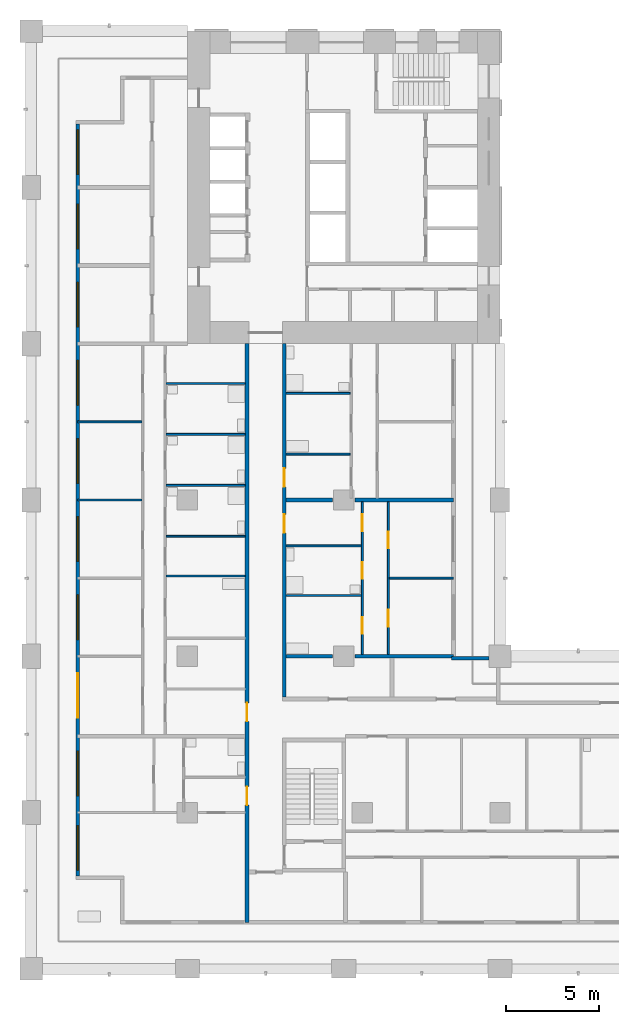
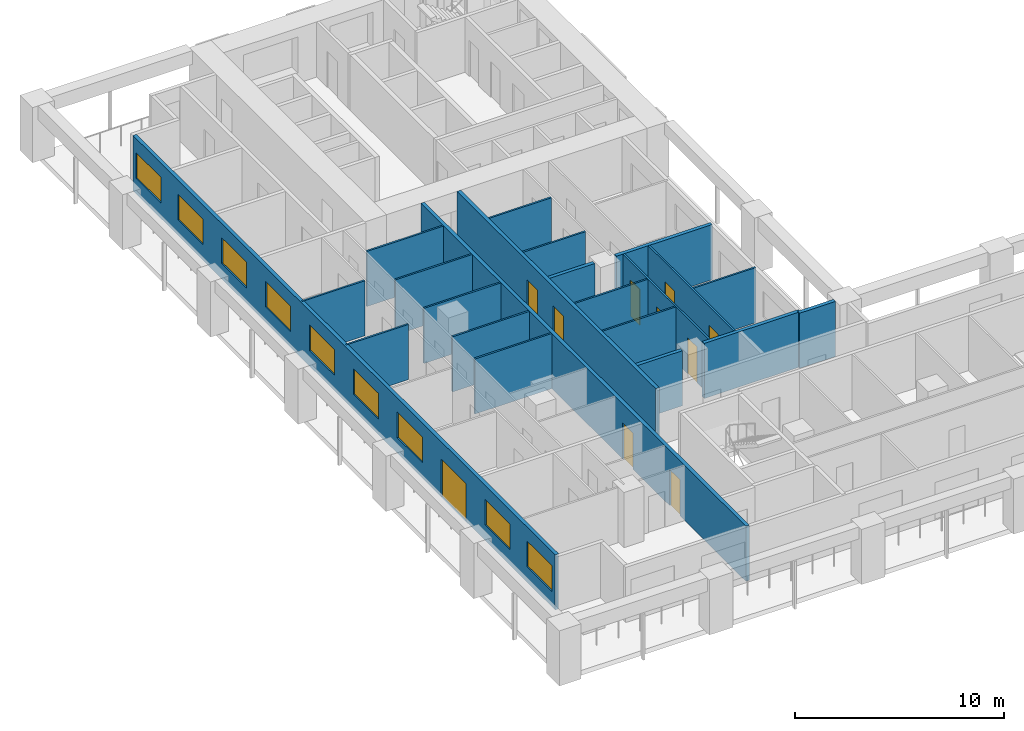
# One storey, part 4 of 17: 22 walls, 10 doors, 9 windows, 19 openings.
"""IFC4 building model written with IfcOpenShell, lengths in metres."""

from ifc_helpers import new_model, si_unit, direction, frame, frame_2d, origin, place, context, subcontext, project, spatial, rectangle, extrude, material, layer, layer_set, type_object, element, fill, save


model = new_model("IFC4")

# Units and contexts
model_context = context("Model", 3, precision=1e-05, world=origin(), true_north=direction((0.0, 1.0)))
body_context = subcontext(model_context, "Body", "Model", "MODEL_VIEW")
ifc_project = project(units=[si_unit("LENGTHUNIT", "METRE"), si_unit("AREAUNIT", "SQUARE_METRE"), si_unit("VOLUMEUNIT", "CUBIC_METRE"), si_unit("PLANEANGLEUNIT", "RADIAN"), si_unit("MASSUNIT", "GRAM", prefix="KILO")], contexts=[model_context])

# Site, building, storey
site_placement = place(None, origin())
site = spatial("IfcSite", under=ifc_project, at=site_placement, CompositionType="ELEMENT")
building_placement = place(site_placement, origin())
building = spatial("IfcBuilding", under=site, at=building_placement, Name="Vermilion Gate Residences", CompositionType="ELEMENT")
storey_placement = place(building_placement, frame((0.0, 0.0, 91.699951171875)))
storey = spatial("IfcBuildingStorey", under=building, at=storey_placement, Name="L22", CompositionType="ELEMENT", Elevation=91.699951171875)

# Wall, openings, door, windows
ifc_material_1 = material(Name="Insulated steel stud wall with terracotta rainscreen", Category="masonry")
ifc_layer_1 = layer(ifc_material_1, 0.199951171875)
ifc_layer_set_1 = layer_set([ifc_layer_1], Name="EXTERNAL WALL 200 TERRACOTTA RAINSCREEN")
wall_type_1 = type_object("IfcWallType", Name="EXTERNAL WALL 200 TERRACOTTA RAINSCREEN", PredefinedType="SOLIDWALL", material=ifc_layer_set_1)
wall_1_placement = place(storey_placement, frame((2.5, 53.800048828125, 0.0), z_axis=(0.0, 0.0, 1.0), x_axis=(0.0, -1.0, 0.0)))
wall_1 = element("IfcWall", 1, at=wall_1_placement, inside=storey, type_object=wall_type_1, Name="External wall", PredefinedType="SOLIDWALL", context=body_context, shape_type="SweptSolid", body=[
    extrude(rectangle(XDim=40.400146484375, YDim=0.199951171875, at=frame_2d((20.2001953125, 0.0))), origin(), (0.0, 0.0, 1.0), 3.219970703125),
])
opening_1_placement = place(wall_1_placement, frame((37.699951171875, 0.0, 0.89990234375)))
opening_1 = element("IfcOpeningElement", 2, at=opening_1_placement, cuts=wall_1, Name="Opening WE22002", PredefinedType="OPENING", context=body_context, shape_type="SweptSolid", body=[
    extrude(rectangle(XDim=2.39990234375, YDim=1.5, at=frame_2d((1.199951171875, 0.75))), frame((0.0, 0.10986328125, 0.0), z_axis=(0.0, -1.0, 0.0), x_axis=(1.0, 0.0, 0.0)), (0.0, 0.0, 1.0), 0.219970703125),
])
opening_2_placement = place(wall_1_placement, frame((33.699951171875, 0.0, 0.89990234375)))
opening_2 = element("IfcOpeningElement", 3, at=opening_2_placement, cuts=wall_1, Name="Opening WE22003", PredefinedType="OPENING", context=body_context, shape_type="SweptSolid", body=[
    extrude(rectangle(XDim=2.39990234375, YDim=1.5, at=frame_2d((1.199951171875, 0.75))), frame((0.0, 0.10986328125, 0.0), z_axis=(0.0, -1.0, 0.0), x_axis=(1.0, 0.0, 0.0)), (0.0, 0.0, 1.0), 0.219970703125),
])
opening_3_placement = place(wall_1_placement, frame((29.5, 0.0, 0.0)))
opening_3 = element("IfcOpeningElement", 4, at=opening_3_placement, cuts=wall_1, Name="Opening DE22004", PredefinedType="OPENING", context=body_context, shape_type="SweptSolid", body=[
    extrude(rectangle(XDim=2.39990234375, YDim=2.199951171875, at=frame_2d((1.199951171875, 1.10009765625))), frame((0.0, 0.10986328125, 0.0), z_axis=(0.0, -1.0, 0.0), x_axis=(1.0, 0.0, 0.0)), (0.0, 0.0, 1.0), 0.219970703125),
])
opening_4_placement = place(wall_1_placement, frame((25.300048828125, 0.0, 0.89990234375)))
opening_4 = element("IfcOpeningElement", 5, at=opening_4_placement, cuts=wall_1, Name="Opening WE22005", PredefinedType="OPENING", context=body_context, shape_type="SweptSolid", body=[
    extrude(rectangle(XDim=2.39990234375, YDim=1.5, at=frame_2d((1.199951171875, 0.75))), frame((0.0, 0.10986328125, 0.0), z_axis=(0.0, -1.0, 0.0), x_axis=(1.0, 0.0, 0.0)), (0.0, 0.0, 1.0), 0.219970703125),
])
opening_5_placement = place(wall_1_placement, frame((21.10009765625, 0.0, 0.89990234375)))
opening_5 = element("IfcOpeningElement", 6, at=opening_5_placement, cuts=wall_1, Name="Opening WE22006", PredefinedType="OPENING", context=body_context, shape_type="SweptSolid", body=[
    extrude(rectangle(XDim=2.39990234375, YDim=1.5, at=frame_2d((1.199951171875, 0.75))), frame((0.0, 0.10986328125, 0.0), z_axis=(0.0, -1.0, 0.0), x_axis=(1.0, 0.0, 0.0)), (0.0, 0.0, 1.0), 0.219970703125),
])
opening_6_placement = place(wall_1_placement, frame((16.89990234375, 0.0, 0.89990234375)))
opening_6 = element("IfcOpeningElement", 7, at=opening_6_placement, cuts=wall_1, Name="Opening WE22007", PredefinedType="OPENING", context=body_context, shape_type="SweptSolid", body=[
    extrude(rectangle(XDim=2.39990234375, YDim=1.5, at=frame_2d((1.199951171875, 0.75))), frame((0.0, 0.10986328125, 0.0), z_axis=(0.0, -1.0, 0.0), x_axis=(1.0, 0.0, 0.0)), (0.0, 0.0, 1.0), 0.219970703125),
])
opening_7_placement = place(wall_1_placement, frame((12.699951171875, 0.0, 0.89990234375)))
opening_7 = element("IfcOpeningElement", 8, at=opening_7_placement, cuts=wall_1, Name="Opening WE22008", PredefinedType="OPENING", context=body_context, shape_type="SweptSolid", body=[
    extrude(rectangle(XDim=2.39990234375, YDim=1.5, at=frame_2d((1.199951171875, 0.75))), frame((0.0, 0.10986328125, 0.0), z_axis=(0.0, -1.0, 0.0), x_axis=(1.0, 0.0, 0.0)), (0.0, 0.0, 1.0), 0.219970703125),
])
opening_8_placement = place(wall_1_placement, frame((8.5, 0.0, 0.89990234375)))
opening_8 = element("IfcOpeningElement", 9, at=opening_8_placement, cuts=wall_1, Name="Opening WE22009", PredefinedType="OPENING", context=body_context, shape_type="SweptSolid", body=[
    extrude(rectangle(XDim=2.39990234375, YDim=1.5, at=frame_2d((1.199951171875, 0.75))), frame((0.0, 0.10986328125, 0.0), z_axis=(0.0, -1.0, 0.0), x_axis=(1.0, 0.0, 0.0)), (0.0, 0.0, 1.0), 0.219970703125),
])
opening_9_placement = place(wall_1_placement, frame((4.300048828125, 0.0, 0.89990234375)))
opening_9 = element("IfcOpeningElement", 10, at=opening_9_placement, cuts=wall_1, Name="Opening WE22010", PredefinedType="OPENING", context=body_context, shape_type="SweptSolid", body=[
    extrude(rectangle(XDim=2.39990234375, YDim=1.5, at=frame_2d((1.199951171875, 0.75))), frame((0.0, 0.10986328125, 0.0), z_axis=(0.0, -1.0, 0.0), x_axis=(1.0, 0.0, 0.0)), (0.0, 0.0, 1.0), 0.219970703125),
])
opening_10_placement = place(wall_1_placement, frame((0.300048828125, 0.0, 0.89990234375)))
opening_10 = element("IfcOpeningElement", 11, at=opening_10_placement, cuts=wall_1, Name="Opening WE22011", PredefinedType="OPENING", context=body_context, shape_type="SweptSolid", body=[
    extrude(rectangle(XDim=2.39990234375, YDim=1.5, at=frame_2d((1.199951171875, 0.75))), frame((0.0, 0.10986328125, 0.0), z_axis=(0.0, -1.0, 0.0), x_axis=(1.0, 0.0, 0.0)), (0.0, 0.0, 1.0), 0.219970703125),
])
ifc_material_2 = material(Name="Aluminium and clear glass", Category="aluminium")
door_type_1 = type_object("IfcDoorType", Name="SLIDING GLAZED DOOR 2400 X 2200", OperationType="DOUBLE_DOOR_SLIDING", PredefinedType="DOOR", material=ifc_material_2)
door_1_placement = place(opening_3_placement, origin())
door_1 = element("IfcDoor", 12, at=door_1_placement, inside=storey, type_object=door_type_1, Name="Loggia sliding door", OperationType="DOUBLE_DOOR_SLIDING", OverallHeight=2.199951171875, OverallWidth=2.39990234375, PredefinedType="DOOR", context=body_context, shape_type="SweptSolid", body=[
    extrude(rectangle(XDim=2.39990234375, YDim=2.199951171875, at=frame_2d((1.199951171875, 1.10009765625))), frame((0.0, 0.02490234375, 0.0), z_axis=(0.0, -1.0, 0.0), x_axis=(1.0, 0.0, 0.0)), (0.0, 0.0, 1.0), 0.050048828125),
])
fill(opening_3, door_1)
ifc_material_3 = material(Name="Aluminium and clear glass", Category="aluminium")
window_type = type_object("IfcWindowType", Name="WINDOW 2400 X 1500", PartitioningType="SINGLE_PANEL", PredefinedType="WINDOW", material=ifc_material_3)
window_1_placement = place(opening_1_placement, origin())
window_1 = element("IfcWindow", 13, at=window_1_placement, inside=storey, type_object=window_type, Name="Window", OverallHeight=1.5, OverallWidth=2.39990234375, PartitioningType="SINGLE_PANEL", PredefinedType="WINDOW", context=body_context, shape_type="SweptSolid", body=[
    extrude(rectangle(XDim=2.39990234375, YDim=1.5, at=frame_2d((1.199951171875, 0.75))), frame((0.0, 0.030029296875, 0.0), z_axis=(0.0, -1.0, 0.0), x_axis=(1.0, 0.0, 0.0)), (0.0, 0.0, 1.0), 0.06005859375),
])
fill(opening_1, window_1)
window_2_placement = place(opening_2_placement, origin())
window_2 = element("IfcWindow", 14, at=window_2_placement, inside=storey, type_object=window_type, Name="Window", OverallHeight=1.5, OverallWidth=2.39990234375, PartitioningType="SINGLE_PANEL", PredefinedType="WINDOW", context=body_context, shape_type="SweptSolid", body=[
    extrude(rectangle(XDim=2.39990234375, YDim=1.5, at=frame_2d((1.199951171875, 0.75))), frame((0.0, 0.030029296875, 0.0), z_axis=(0.0, -1.0, 0.0), x_axis=(1.0, 0.0, 0.0)), (0.0, 0.0, 1.0), 0.06005859375),
])
fill(opening_2, window_2)
window_3_placement = place(opening_4_placement, origin())
window_3 = element("IfcWindow", 15, at=window_3_placement, inside=storey, type_object=window_type, Name="Window", OverallHeight=1.5, OverallWidth=2.39990234375, PartitioningType="SINGLE_PANEL", PredefinedType="WINDOW", context=body_context, shape_type="SweptSolid", body=[
    extrude(rectangle(XDim=2.39990234375, YDim=1.5, at=frame_2d((1.199951171875, 0.75))), frame((0.0, 0.030029296875, 0.0), z_axis=(0.0, -1.0, 0.0), x_axis=(1.0, 0.0, 0.0)), (0.0, 0.0, 1.0), 0.06005859375),
])
fill(opening_4, window_3)
window_4_placement = place(opening_5_placement, origin())
window_4 = element("IfcWindow", 16, at=window_4_placement, inside=storey, type_object=window_type, Name="Window", OverallHeight=1.5, OverallWidth=2.39990234375, PartitioningType="SINGLE_PANEL", PredefinedType="WINDOW", context=body_context, shape_type="SweptSolid", body=[
    extrude(rectangle(XDim=2.39990234375, YDim=1.5, at=frame_2d((1.199951171875, 0.75))), frame((0.0, 0.030029296875, 0.0), z_axis=(0.0, -1.0, 0.0), x_axis=(1.0, 0.0, 0.0)), (0.0, 0.0, 1.0), 0.06005859375),
])
fill(opening_5, window_4)
window_5_placement = place(opening_6_placement, origin())
window_5 = element("IfcWindow", 17, at=window_5_placement, inside=storey, type_object=window_type, Name="Window", OverallHeight=1.5, OverallWidth=2.39990234375, PartitioningType="SINGLE_PANEL", PredefinedType="WINDOW", context=body_context, shape_type="SweptSolid", body=[
    extrude(rectangle(XDim=2.39990234375, YDim=1.5, at=frame_2d((1.199951171875, 0.75))), frame((0.0, 0.030029296875, 0.0), z_axis=(0.0, -1.0, 0.0), x_axis=(1.0, 0.0, 0.0)), (0.0, 0.0, 1.0), 0.06005859375),
])
fill(opening_6, window_5)
window_6_placement = place(opening_7_placement, origin())
window_6 = element("IfcWindow", 18, at=window_6_placement, inside=storey, type_object=window_type, Name="Window", OverallHeight=1.5, OverallWidth=2.39990234375, PartitioningType="SINGLE_PANEL", PredefinedType="WINDOW", context=body_context, shape_type="SweptSolid", body=[
    extrude(rectangle(XDim=2.39990234375, YDim=1.5, at=frame_2d((1.199951171875, 0.75))), frame((0.0, 0.030029296875, 0.0), z_axis=(0.0, -1.0, 0.0), x_axis=(1.0, 0.0, 0.0)), (0.0, 0.0, 1.0), 0.06005859375),
])
fill(opening_7, window_6)
window_7_placement = place(opening_8_placement, origin())
window_7 = element("IfcWindow", 19, at=window_7_placement, inside=storey, type_object=window_type, Name="Window", OverallHeight=1.5, OverallWidth=2.39990234375, PartitioningType="SINGLE_PANEL", PredefinedType="WINDOW", context=body_context, shape_type="SweptSolid", body=[
    extrude(rectangle(XDim=2.39990234375, YDim=1.5, at=frame_2d((1.199951171875, 0.75))), frame((0.0, 0.030029296875, 0.0), z_axis=(0.0, -1.0, 0.0), x_axis=(1.0, 0.0, 0.0)), (0.0, 0.0, 1.0), 0.06005859375),
])
fill(opening_8, window_7)
window_8_placement = place(opening_9_placement, origin())
window_8 = element("IfcWindow", 20, at=window_8_placement, inside=storey, type_object=window_type, Name="Window", OverallHeight=1.5, OverallWidth=2.39990234375, PartitioningType="SINGLE_PANEL", PredefinedType="WINDOW", context=body_context, shape_type="SweptSolid", body=[
    extrude(rectangle(XDim=2.39990234375, YDim=1.5, at=frame_2d((1.199951171875, 0.75))), frame((0.0, 0.030029296875, 0.0), z_axis=(0.0, -1.0, 0.0), x_axis=(1.0, 0.0, 0.0)), (0.0, 0.0, 1.0), 0.06005859375),
])
fill(opening_9, window_8)
window_9_placement = place(opening_10_placement, origin())
window_9 = element("IfcWindow", 21, at=window_9_placement, inside=storey, type_object=window_type, Name="Window", OverallHeight=1.5, OverallWidth=2.39990234375, PartitioningType="SINGLE_PANEL", PredefinedType="WINDOW", context=body_context, shape_type="SweptSolid", body=[
    extrude(rectangle(XDim=2.39990234375, YDim=1.5, at=frame_2d((1.199951171875, 0.75))), frame((0.0, 0.030029296875, 0.0), z_axis=(0.0, -1.0, 0.0), x_axis=(1.0, 0.0, 0.0)), (0.0, 0.0, 1.0), 0.06005859375),
])
fill(opening_10, window_9)

# Walls
wall_2_placement = place(storey_placement, frame((24.60009765625, 25.10009765625, 0.0), z_axis=(0.0, 0.0, 1.0), x_axis=(-1.0, 0.0, 0.0)))
element("IfcWall", 22, at=wall_2_placement, inside=storey, type_object=wall_type_1, Name="External wall", PredefinedType="SOLIDWALL", context=body_context, shape_type="SweptSolid", body=[
    extrude(rectangle(XDim=2.0, YDim=0.199951171875, at=frame_2d((1.0, 0.0))), origin(), (0.0, 0.0, 1.0), 3.219970703125),
])
ifc_material_4 = material(Name="Plasterboard on steel studs", Category="steel")
ifc_layer_2 = layer(ifc_material_4, 0.10009765625)
ifc_layer_set_2 = layer_set([ifc_layer_2], Name="PARTITION 100")
wall_type_2 = type_object("IfcWallType", Name="PARTITION 100", PredefinedType="PARTITIONING", material=ifc_layer_set_2)
wall_3_placement = place(storey_placement, frame((13.699951171875, 28.467041015625, 0.0), z_axis=(0.0, 0.0, 1.0), x_axis=(1.0, 0.0, 0.0)))
element("IfcWall", 23, at=wall_3_placement, inside=storey, type_object=wall_type_2, Name="Partition", PredefinedType="PARTITIONING", context=body_context, shape_type="SweptSolid", body=[
    extrude(rectangle(XDim=4.050048828125, YDim=0.10009765625, at=frame_2d((2.02490234375, 0.0))), origin(), (0.0, 0.0, 1.0), 3.219970703125),
])
wall_4_placement = place(storey_placement, frame((19.25, 29.39990234375, 0.0), z_axis=(0.0, 0.0, 1.0), x_axis=(1.0, 0.0, 0.0)))
element("IfcWall", 24, at=wall_4_placement, inside=storey, type_object=wall_type_2, Name="Partition", PredefinedType="PARTITIONING", context=body_context, shape_type="SweptSolid", body=[
    extrude(rectangle(XDim=3.449951171875, YDim=0.10009765625, at=frame_2d((1.72509765625, 0.0))), origin(), (0.0, 0.0, 1.0), 3.219970703125),
])
wall_5_placement = place(storey_placement, frame((7.25, 29.512939453125, 0.0), z_axis=(0.0, 0.0, 1.0), x_axis=(1.0, 0.0, 0.0)))
element("IfcWall", 25, at=wall_5_placement, inside=storey, type_object=wall_type_2, Name="Partition", PredefinedType="PARTITIONING", context=body_context, shape_type="SweptSolid", body=[
    extrude(rectangle(XDim=4.25, YDim=0.10009765625, at=frame_2d((2.125, 0.0))), origin(), (0.0, 0.0, 1.0), 3.219970703125),
])
wall_6_placement = place(storey_placement, frame((13.699951171875, 31.133056640625, 0.0), z_axis=(0.0, 0.0, 1.0), x_axis=(1.0, 0.0, 0.0)))
element("IfcWall", 26, at=wall_6_placement, inside=storey, type_object=wall_type_2, Name="Partition", PredefinedType="PARTITIONING", context=body_context, shape_type="SweptSolid", body=[
    extrude(rectangle(XDim=4.050048828125, YDim=0.10009765625, at=frame_2d((2.02490234375, 0.0))), origin(), (0.0, 0.0, 1.0), 3.219970703125),
])
wall_7_placement = place(storey_placement, frame((7.25, 31.64990234375, 0.0), z_axis=(0.0, 0.0, 1.0), x_axis=(1.0, 0.0, 0.0)))
element("IfcWall", 27, at=wall_7_placement, inside=storey, type_object=wall_type_2, Name="Partition", PredefinedType="PARTITIONING", context=body_context, shape_type="SweptSolid", body=[
    extrude(rectangle(XDim=4.25, YDim=0.10009765625, at=frame_2d((2.125, 0.0))), origin(), (0.0, 0.0, 1.0), 3.219970703125),
])
wall_8_placement = place(storey_placement, frame((2.5, 33.60009765625, 0.0), z_axis=(0.0, 0.0, 1.0), x_axis=(1.0, 0.0, 0.0)))
element("IfcWall", 28, at=wall_8_placement, inside=storey, type_object=wall_type_2, Name="Partition", PredefinedType="PARTITIONING", context=body_context, shape_type="SweptSolid", body=[
    extrude(rectangle(XDim=3.449951171875, YDim=0.10009765625, at=frame_2d((1.72509765625, 0.0))), origin(), (0.0, 0.0, 1.0), 3.219970703125),
])
wall_9_placement = place(storey_placement, frame((7.25, 34.387939453125, 0.0), z_axis=(0.0, 0.0, 1.0), x_axis=(1.0, 0.0, 0.0)))
element("IfcWall", 29, at=wall_9_placement, inside=storey, type_object=wall_type_2, Name="Partition", PredefinedType="PARTITIONING", context=body_context, shape_type="SweptSolid", body=[
    extrude(rectangle(XDim=4.25, YDim=0.10009765625, at=frame_2d((2.125, 0.0))), origin(), (0.0, 0.0, 1.0), 3.219970703125),
])
wall_10_placement = place(storey_placement, frame((13.699951171875, 36.06689453125, 0.0), z_axis=(0.0, 0.0, 1.0), x_axis=(1.0, 0.0, 0.0)))
element("IfcWall", 30, at=wall_10_placement, inside=storey, type_object=wall_type_2, Name="Partition", PredefinedType="PARTITIONING", context=body_context, shape_type="SweptSolid", body=[
    extrude(rectangle(XDim=3.449951171875, YDim=0.10009765625, at=frame_2d((1.72509765625, 0.0))), origin(), (0.0, 0.0, 1.0), 3.219970703125),
])
wall_11_placement = place(storey_placement, frame((7.25, 37.125, 0.0), z_axis=(0.0, 0.0, 1.0), x_axis=(1.0, 0.0, 0.0)))
element("IfcWall", 31, at=wall_11_placement, inside=storey, type_object=wall_type_2, Name="Partition", PredefinedType="PARTITIONING", context=body_context, shape_type="SweptSolid", body=[
    extrude(rectangle(XDim=4.25, YDim=0.10009765625, at=frame_2d((2.125, 0.0))), origin(), (0.0, 0.0, 1.0), 3.219970703125),
])
for number, where, z_axis, x_axis, name in (
    (32, (2.5, 37.800048828125, 0.0), (0.0, 0.0, 1.0), (1.0, 0.0, 0.0), "Partition"),
    (33, (13.699951171875, 39.3330078125, 0.0), (0.0, 0.0, 1.0), (1.0, 0.0, 0.0), "Partition"),
):
    element("IfcWall", number, at=place(storey_placement, frame(where, z_axis=z_axis, x_axis=x_axis)), inside=storey, type_object=wall_type_2, Name=name, PredefinedType="PARTITIONING", context=body_context, shape_type="SweptSolid", body=[
        extrude(rectangle(XDim=3.449951171875, YDim=0.10009765625, at=frame_2d((1.72509765625, 0.0))), origin(), (0.0, 0.0, 1.0), 3.219970703125),
    ])
wall_12_placement = place(storey_placement, frame((7.25, 39.863037109375, 0.0), z_axis=(0.0, 0.0, 1.0), x_axis=(1.0, 0.0, 0.0)))
element("IfcWall", 34, at=wall_12_placement, inside=storey, type_object=wall_type_2, Name="Partition", PredefinedType="PARTITIONING", context=body_context, shape_type="SweptSolid", body=[
    extrude(rectangle(XDim=4.25, YDim=0.10009765625, at=frame_2d((2.125, 0.0))), origin(), (0.0, 0.0, 1.0), 3.219970703125),
])

# Wall, openings, doors
wall_13_placement = place(storey_placement, frame((17.800048828125, 25.300048828125, 0.0), z_axis=(0.0, 0.0, 1.0), x_axis=(0.0, 1.0, 0.0)))
wall_13 = element("IfcWall", 35, at=wall_13_placement, inside=storey, type_object=wall_type_2, Name="Partition", PredefinedType="PARTITIONING", context=body_context, shape_type="SweptSolid", body=[
    extrude(rectangle(XDim=8.199951171875, YDim=0.10009765625, at=frame_2d((4.10009765625, 0.0))), origin(), (0.0, 0.0, 1.0), 3.219970703125),
])
opening_11_placement = place(wall_13_placement, frame((6.633056640625, 0.0, 0.0)))
opening_11 = element("IfcOpeningElement", 36, at=opening_11_placement, cuts=wall_13, Name="Opening DA22043", PredefinedType="OPENING", context=body_context, shape_type="SweptSolid", body=[
    extrude(rectangle(XDim=0.89990234375, YDim=2.10009765625, at=frame_2d((0.449951171875, 1.050048828125))), frame((0.0, 0.06005859375, 0.0), z_axis=(0.0, -1.0, 0.0), x_axis=(1.0, 0.0, 0.0)), (0.0, 0.0, 1.0), 0.1201171875),
])
opening_12_placement = place(wall_13_placement, frame((1.10009765625, 0.0, 0.0)))
opening_12 = element("IfcOpeningElement", 37, at=opening_12_placement, cuts=wall_13, Name="Opening DA22044", PredefinedType="OPENING", context=body_context, shape_type="SweptSolid", body=[
    extrude(rectangle(XDim=0.89990234375, YDim=2.10009765625, at=frame_2d((0.449951171875, 1.050048828125))), frame((0.0, 0.06005859375, 0.0), z_axis=(0.0, -1.0, 0.0), x_axis=(1.0, 0.0, 0.0)), (0.0, 0.0, 1.0), 0.1201171875),
])
opening_13_placement = place(wall_13_placement, frame((4.06689453125, 0.0, 0.0)))
opening_13 = element("IfcOpeningElement", 38, at=opening_13_placement, cuts=wall_13, Name="Opening DA22045", PredefinedType="OPENING", context=body_context, shape_type="SweptSolid", body=[
    extrude(rectangle(XDim=0.89990234375, YDim=2.10009765625, at=frame_2d((0.449951171875, 1.050048828125))), frame((0.0, 0.06005859375, 0.0), z_axis=(0.0, -1.0, 0.0), x_axis=(1.0, 0.0, 0.0)), (0.0, 0.0, 1.0), 0.1201171875),
])
ifc_material_5 = material(Name="Timber", Category="wood")
door_type_2 = type_object("IfcDoorType", Name="INTERIOR DOOR 900 X 2100", OperationType="SINGLE_SWING_LEFT", PredefinedType="DOOR", material=ifc_material_5)
door_2_placement = place(opening_11_placement, frame((0.89990234375, 0.0, 0.0), z_axis=(0.0, 0.0, 1.0), x_axis=(-1.0, 0.0, 0.0)))
door_2 = element("IfcDoor", 39, at=door_2_placement, inside=storey, type_object=door_type_2, Name="Interior door", OperationType="SINGLE_SWING_LEFT", OverallHeight=2.10009765625, OverallWidth=0.89990234375, PredefinedType="DOOR", context=body_context, shape_type="SweptSolid", body=[
    extrude(rectangle(XDim=0.89990234375, YDim=2.10009765625, at=frame_2d((0.449951171875, 1.050048828125))), frame((0.0, 0.02490234375, 0.0), z_axis=(0.0, -1.0, 0.0), x_axis=(1.0, 0.0, 0.0)), (0.0, 0.0, 1.0), 0.050048828125),
])
fill(opening_11, door_2)
door_3_placement = place(opening_12_placement, origin())
door_3 = element("IfcDoor", 40, at=door_3_placement, inside=storey, type_object=door_type_2, Name="Interior door", OperationType="SINGLE_SWING_LEFT", OverallHeight=2.10009765625, OverallWidth=0.89990234375, PredefinedType="DOOR", context=body_context, shape_type="SweptSolid", body=[
    extrude(rectangle(XDim=0.89990234375, YDim=2.10009765625, at=frame_2d((0.449951171875, 1.050048828125))), frame((0.0, 0.02490234375, 0.0), z_axis=(0.0, -1.0, 0.0), x_axis=(1.0, 0.0, 0.0)), (0.0, 0.0, 1.0), 0.050048828125),
])
fill(opening_12, door_3)
door_4_placement = place(opening_13_placement, origin())
door_4 = element("IfcDoor", 41, at=door_4_placement, inside=storey, type_object=door_type_2, Name="Interior door", OperationType="SINGLE_SWING_LEFT", OverallHeight=2.10009765625, OverallWidth=0.89990234375, PredefinedType="DOOR", context=body_context, shape_type="SweptSolid", body=[
    extrude(rectangle(XDim=0.89990234375, YDim=2.10009765625, at=frame_2d((0.449951171875, 1.050048828125))), frame((0.0, 0.02490234375, 0.0), z_axis=(0.0, -1.0, 0.0), x_axis=(1.0, 0.0, 0.0)), (0.0, 0.0, 1.0), 0.050048828125),
])
fill(opening_13, door_4)

wall_14_placement = place(storey_placement, frame((19.199951171875, 25.300048828125, 0.0), z_axis=(0.0, 0.0, 1.0), x_axis=(0.0, 1.0, 0.0)))
wall_14 = element("IfcWall", 42, at=wall_14_placement, inside=storey, type_object=wall_type_2, Name="Partition", PredefinedType="PARTITIONING", context=body_context, shape_type="SweptSolid", body=[
    extrude(rectangle(XDim=8.199951171875, YDim=0.10009765625, at=frame_2d((4.10009765625, 0.0))), origin(), (0.0, 0.0, 1.0), 3.219970703125),
])
opening_14_placement = place(wall_14_placement, frame((1.5, 0.0, 0.0)))
opening_14 = element("IfcOpeningElement", 43, at=opening_14_placement, cuts=wall_14, Name="Opening DA22048", PredefinedType="OPENING", context=body_context, shape_type="SweptSolid", body=[
    extrude(rectangle(XDim=0.89990234375, YDim=2.10009765625, at=frame_2d((0.449951171875, 1.050048828125))), frame((0.0, 0.06005859375, 0.0), z_axis=(0.0, -1.0, 0.0), x_axis=(1.0, 0.0, 0.0)), (0.0, 0.0, 1.0), 0.1201171875),
])
opening_15_placement = place(wall_14_placement, frame((5.699951171875, 0.0, 0.0)))
opening_15 = element("IfcOpeningElement", 44, at=opening_15_placement, cuts=wall_14, Name="Opening DA22049", PredefinedType="OPENING", context=body_context, shape_type="SweptSolid", body=[
    extrude(rectangle(XDim=0.89990234375, YDim=2.10009765625, at=frame_2d((0.449951171875, 1.050048828125))), frame((0.0, 0.06005859375, 0.0), z_axis=(0.0, -1.0, 0.0), x_axis=(1.0, 0.0, 0.0)), (0.0, 0.0, 1.0), 0.1201171875),
])
door_5_placement = place(opening_14_placement, frame((0.89990234375, 0.0, 0.0), z_axis=(0.0, 0.0, 1.0), x_axis=(-1.0, 0.0, 0.0)))
door_5 = element("IfcDoor", 45, at=door_5_placement, inside=storey, type_object=door_type_2, Name="Interior door", OperationType="SINGLE_SWING_RIGHT", OverallHeight=2.10009765625, OverallWidth=0.89990234375, PredefinedType="DOOR", context=body_context, shape_type="SweptSolid", body=[
    extrude(rectangle(XDim=0.89990234375, YDim=2.10009765625, at=frame_2d((0.449951171875, 1.050048828125))), frame((0.0, 0.02490234375, 0.0), z_axis=(0.0, -1.0, 0.0), x_axis=(1.0, 0.0, 0.0)), (0.0, 0.0, 1.0), 0.050048828125),
])
fill(opening_14, door_5)
door_6_placement = place(opening_15_placement, frame((0.89990234375, 0.0, 0.0), z_axis=(0.0, 0.0, 1.0), x_axis=(-1.0, 0.0, 0.0)))
door_6 = element("IfcDoor", 46, at=door_6_placement, inside=storey, type_object=door_type_2, Name="Interior door", OperationType="SINGLE_SWING_RIGHT", OverallHeight=2.10009765625, OverallWidth=0.89990234375, PredefinedType="DOOR", context=body_context, shape_type="SweptSolid", body=[
    extrude(rectangle(XDim=0.89990234375, YDim=2.10009765625, at=frame_2d((0.449951171875, 1.050048828125))), frame((0.0, 0.02490234375, 0.0), z_axis=(0.0, -1.0, 0.0), x_axis=(1.0, 0.0, 0.0)), (0.0, 0.0, 1.0), 0.050048828125),
])
fill(opening_15, door_6)

# Walls
ifc_material_6 = material(Name="Fire-rated plasterboard on steel studs", Category="steel")
ifc_layer_3 = layer(ifc_material_6, 0.199951171875)
ifc_layer_set_3 = layer_set([ifc_layer_3], Name="PARTY WALL 200 EI 120")
wall_type_3 = type_object("IfcWallType", Name="PARTY WALL 200 EI 120", PredefinedType="PARTITIONING", material=ifc_layer_set_3)
wall_15_placement = place(storey_placement, frame((13.699951171875, 25.199951171875, 0.0), z_axis=(0.0, 0.0, 1.0), x_axis=(1.0, 0.0, 0.0)))
element("IfcWall", 47, at=wall_15_placement, inside=storey, type_object=wall_type_3, Name="Party and corridor wall", PredefinedType="PARTITIONING", context=body_context, shape_type="SweptSolid", body=[
    extrude(rectangle(XDim=2.5, YDim=0.199951171875, at=frame_2d((1.25, 0.0))), origin(), (0.0, 0.0, 1.0), 3.219970703125),
])
wall_16_placement = place(storey_placement, frame((17.39990234375, 25.199951171875, 0.0), z_axis=(0.0, 0.0, 1.0), x_axis=(1.0, 0.0, 0.0)))
element("IfcWall", 48, at=wall_16_placement, inside=storey, type_object=wall_type_3, Name="Party and corridor wall", PredefinedType="PARTITIONING", context=body_context, shape_type="SweptSolid", body=[
    extrude(rectangle(XDim=5.300048828125, YDim=0.199951171875, at=frame_2d((2.64990234375, 0.0))), origin(), (0.0, 0.0, 1.0), 3.219970703125),
])
wall_17_placement = place(storey_placement, frame((13.699951171875, 33.60009765625, 0.0), z_axis=(0.0, 0.0, 1.0), x_axis=(1.0, 0.0, 0.0)))
element("IfcWall", 49, at=wall_17_placement, inside=storey, type_object=wall_type_3, Name="Party and corridor wall", PredefinedType="PARTITIONING", context=body_context, shape_type="SweptSolid", body=[
    extrude(rectangle(XDim=2.5, YDim=0.199951171875, at=frame_2d((1.25, 0.0))), origin(), (0.0, 0.0, 1.0), 3.219970703125),
])
wall_18_placement = place(storey_placement, frame((17.39990234375, 33.60009765625, 0.0), z_axis=(0.0, 0.0, 1.0), x_axis=(1.0, 0.0, 0.0)))
element("IfcWall", 50, at=wall_18_placement, inside=storey, type_object=wall_type_3, Name="Party and corridor wall", PredefinedType="PARTITIONING", context=body_context, shape_type="SweptSolid", body=[
    extrude(rectangle(XDim=5.300048828125, YDim=0.199951171875, at=frame_2d((2.64990234375, 0.0))), origin(), (0.0, 0.0, 1.0), 3.219970703125),
])

# Wall, openings, doors
wall_19_placement = place(storey_placement, frame((11.60009765625, 10.89990234375, 0.0), z_axis=(0.0, 0.0, 1.0), x_axis=(0.0, 1.0, 0.0)))
wall_19 = element("IfcWall", 51, at=wall_19_placement, inside=storey, type_object=wall_type_3, Name="Party and corridor wall", PredefinedType="PARTITIONING", context=body_context, shape_type="SweptSolid", body=[
    extrude(rectangle(XDim=31.10009765625, YDim=0.199951171875, at=frame_2d((15.550048828125, 0.0))), origin(), (0.0, 0.0, 1.0), 3.219970703125),
])
opening_16_placement = place(wall_19_placement, frame((6.300048828125, 0.0, 0.0)))
opening_16 = element("IfcOpeningElement", 52, at=opening_16_placement, cuts=wall_19, Name="Opening DA22036", PredefinedType="OPENING", context=body_context, shape_type="SweptSolid", body=[
    extrude(rectangle(XDim=1.0, YDim=2.10009765625, at=frame_2d((0.5, 1.050048828125))), frame((0.0, 0.10986328125, 0.0), z_axis=(0.0, -1.0, 0.0), x_axis=(1.0, 0.0, 0.0)), (0.0, 0.0, 1.0), 0.219970703125),
])
opening_17_placement = place(wall_19_placement, frame((10.800048828125, 0.0, 0.0)))
opening_17 = element("IfcOpeningElement", 53, at=opening_17_placement, cuts=wall_19, Name="Opening DA22037", PredefinedType="OPENING", context=body_context, shape_type="SweptSolid", body=[
    extrude(rectangle(XDim=1.0, YDim=2.10009765625, at=frame_2d((0.5, 1.050048828125))), frame((0.0, 0.10986328125, 0.0), z_axis=(0.0, -1.0, 0.0), x_axis=(1.0, 0.0, 0.0)), (0.0, 0.0, 1.0), 0.219970703125),
])
ifc_material_7 = material(Name="Steel", Category="steel")
door_type_3 = type_object("IfcDoorType", Name="ENTRANCE DOOR 1000 X 2100 FD30", OperationType="SINGLE_SWING_LEFT", PredefinedType="DOOR", material=ifc_material_7)
door_7_placement = place(opening_16_placement, origin())
door_7 = element("IfcDoor", 54, at=door_7_placement, inside=storey, type_object=door_type_3, Name="Entrance door", OperationType="SINGLE_SWING_LEFT", OverallHeight=2.10009765625, OverallWidth=1.0, PredefinedType="DOOR", context=body_context, shape_type="SweptSolid", body=[
    extrude(rectangle(XDim=1.0, YDim=2.10009765625, at=frame_2d((0.5, 1.050048828125))), frame((0.0, 0.02490234375, 0.0), z_axis=(0.0, -1.0, 0.0), x_axis=(1.0, 0.0, 0.0)), (0.0, 0.0, 1.0), 0.050048828125),
])
fill(opening_16, door_7)
door_8_placement = place(opening_17_placement, origin())
door_8 = element("IfcDoor", 55, at=door_8_placement, inside=storey, type_object=door_type_3, Name="Entrance door", OperationType="SINGLE_SWING_RIGHT", OverallHeight=2.10009765625, OverallWidth=1.0, PredefinedType="DOOR", context=body_context, shape_type="SweptSolid", body=[
    extrude(rectangle(XDim=1.0, YDim=2.10009765625, at=frame_2d((0.5, 1.050048828125))), frame((0.0, 0.02490234375, 0.0), z_axis=(0.0, -1.0, 0.0), x_axis=(1.0, 0.0, 0.0)), (0.0, 0.0, 1.0), 0.050048828125),
])
fill(opening_17, door_8)

wall_20_placement = place(storey_placement, frame((13.60009765625, 23.0, 0.0), z_axis=(0.0, 0.0, 1.0), x_axis=(0.0, 1.0, 0.0)))
wall_20 = element("IfcWall", 56, at=wall_20_placement, inside=storey, type_object=wall_type_3, Name="Party and corridor wall", PredefinedType="PARTITIONING", context=body_context, shape_type="SweptSolid", body=[
    extrude(rectangle(XDim=19.0, YDim=0.199951171875, at=frame_2d((9.5, 0.0))), origin(), (0.0, 0.0, 1.0), 3.219970703125),
])
opening_18_placement = place(wall_20_placement, frame((8.8330078125, 0.0, 0.0)))
opening_18 = element("IfcOpeningElement", 57, at=opening_18_placement, cuts=wall_20, Name="Opening DA22038", PredefinedType="OPENING", context=body_context, shape_type="SweptSolid", body=[
    extrude(rectangle(XDim=1.0, YDim=2.10009765625, at=frame_2d((0.5, 1.050048828125))), frame((0.0, 0.10986328125, 0.0), z_axis=(0.0, -1.0, 0.0), x_axis=(1.0, 0.0, 0.0)), (0.0, 0.0, 1.0), 0.219970703125),
])
opening_19_placement = place(wall_20_placement, frame((11.300048828125, 0.0, 0.0)))
opening_19 = element("IfcOpeningElement", 58, at=opening_19_placement, cuts=wall_20, Name="Opening DA22039", PredefinedType="OPENING", context=body_context, shape_type="SweptSolid", body=[
    extrude(rectangle(XDim=1.0, YDim=2.10009765625, at=frame_2d((0.5, 1.050048828125))), frame((0.0, 0.10986328125, 0.0), z_axis=(0.0, -1.0, 0.0), x_axis=(1.0, 0.0, 0.0)), (0.0, 0.0, 1.0), 0.219970703125),
])
door_9_placement = place(opening_18_placement, frame((1.0, 0.0, 0.0), z_axis=(0.0, 0.0, 1.0), x_axis=(-1.0, 0.0, 0.0)))
door_9 = element("IfcDoor", 59, at=door_9_placement, inside=storey, type_object=door_type_3, Name="Entrance door", OperationType="SINGLE_SWING_RIGHT", OverallHeight=2.10009765625, OverallWidth=1.0, PredefinedType="DOOR", context=body_context, shape_type="SweptSolid", body=[
    extrude(rectangle(XDim=1.0, YDim=2.10009765625, at=frame_2d((0.5, 1.050048828125))), frame((0.0, 0.02490234375, 0.0), z_axis=(0.0, -1.0, 0.0), x_axis=(1.0, 0.0, 0.0)), (0.0, 0.0, 1.0), 0.050048828125),
])
fill(opening_18, door_9)
door_10_placement = place(opening_19_placement, frame((1.0, 0.0, 0.0), z_axis=(0.0, 0.0, 1.0), x_axis=(-1.0, 0.0, 0.0)))
door_10 = element("IfcDoor", 60, at=door_10_placement, inside=storey, type_object=door_type_3, Name="Entrance door", OperationType="SINGLE_SWING_RIGHT", OverallHeight=2.10009765625, OverallWidth=1.0, PredefinedType="DOOR", context=body_context, shape_type="SweptSolid", body=[
    extrude(rectangle(XDim=1.0, YDim=2.10009765625, at=frame_2d((0.5, 1.050048828125))), frame((0.0, 0.02490234375, 0.0), z_axis=(0.0, -1.0, 0.0), x_axis=(1.0, 0.0, 0.0)), (0.0, 0.0, 1.0), 0.050048828125),
])
fill(opening_19, door_10)

save(model, "model.ifc")
